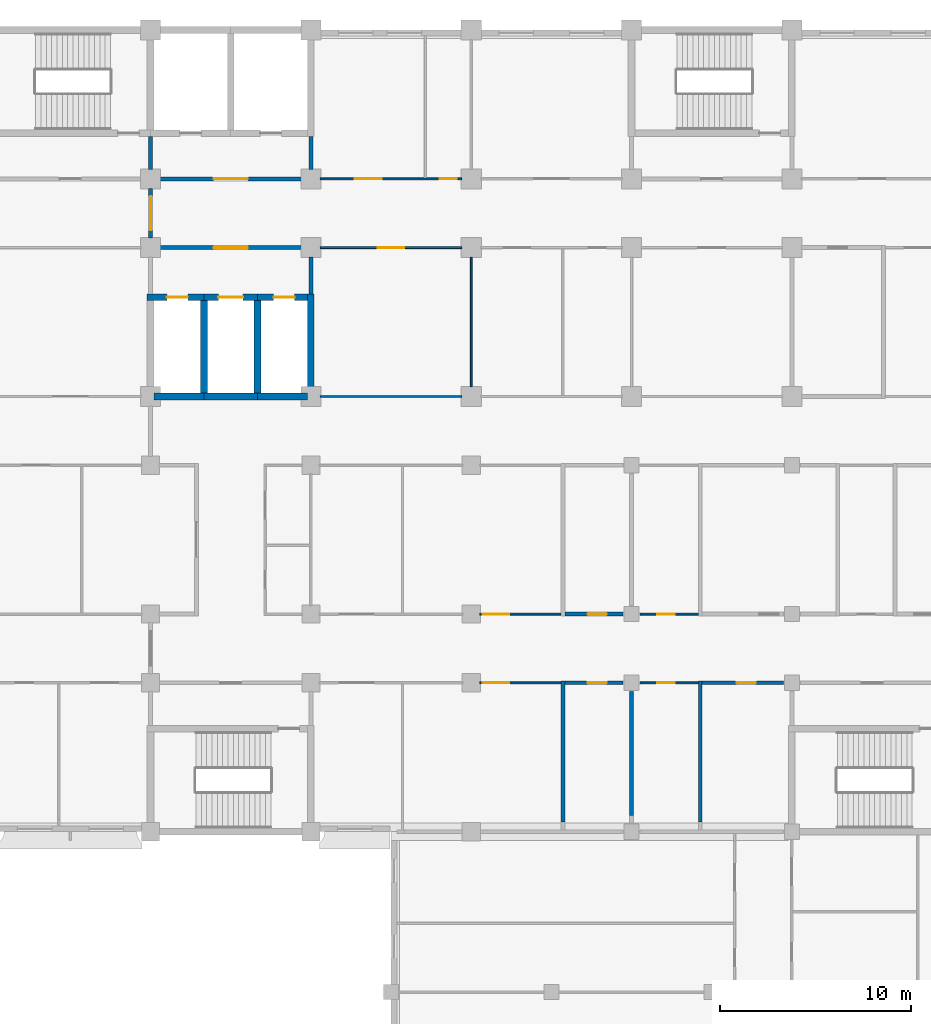
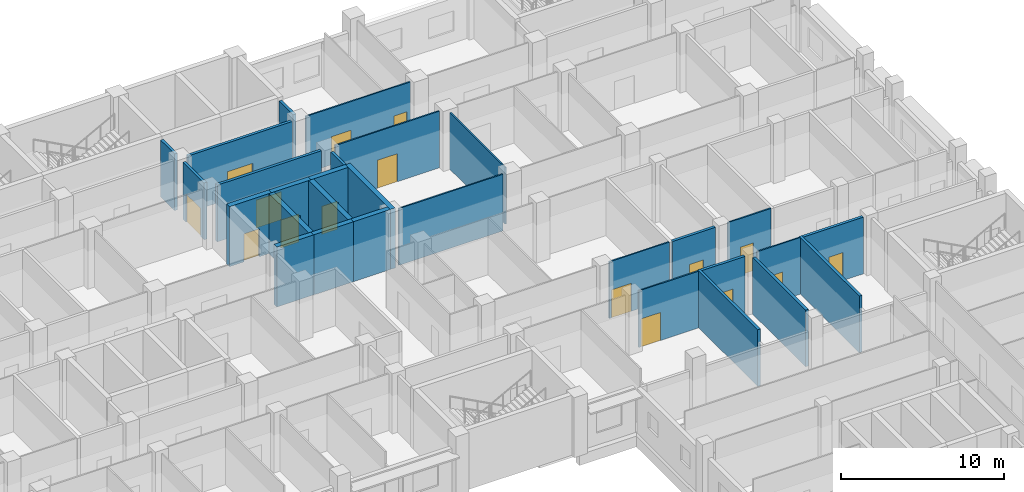
# One storey, part 87 of 136: 29 walls, 16 doors, 16 openings.
"""IFC4 building model written with IfcOpenShell, lengths in metres."""

from ifc_helpers import new_model, si_unit, direction, frame, frame_2d, origin, place, context, subcontext, project, spatial, rectangle, extrude, material, layer, layer_set, type_object, element, fill, save


model = new_model("IFC4")

# Units and contexts
model_context = context("Model", 3, precision=1e-05, world=origin(), true_north=direction((0.0, 1.0)))
body_context = subcontext(model_context, "Body", "Model", "MODEL_VIEW")
ifc_project = project(units=[si_unit("LENGTHUNIT", "METRE"), si_unit("AREAUNIT", "SQUARE_METRE"), si_unit("VOLUMEUNIT", "CUBIC_METRE"), si_unit("PLANEANGLEUNIT", "RADIAN"), si_unit("MASSUNIT", "GRAM", prefix="KILO")], contexts=[model_context])

# Site, building, storey
site_placement = place(None, origin())
site = spatial("IfcSite", under=ifc_project, at=site_placement, CompositionType="ELEMENT")
building_placement = place(site_placement, origin())
building = spatial("IfcBuilding", under=site, at=building_placement, Name="Bougainvillea Quay General Hospital", CompositionType="ELEMENT")
storey_placement = place(building_placement, frame((0.0, 0.0, 5.39990234375)))
storey = spatial("IfcBuildingStorey", under=building, at=storey_placement, Name="L01", CompositionType="ELEMENT", Elevation=5.39990234375)

# Wall
ifc_material_1 = material(Name="Gypsum board partition on steel studs", Category="steel")
ifc_layer_1 = layer(ifc_material_1, 0.10009765625)
ifc_layer_set_1 = layer_set([ifc_layer_1], Name="Gypsum board partition on steel studs")
wall_type_1 = type_object("IfcWallType", Name="Partition 100 Gypsum board partition", PredefinedType="PARTITIONING", material=ifc_layer_set_1)
wall_1_placement = place(storey_placement, frame((167.5, 140.39990234375, 0.0), z_axis=(0.0, 0.0, 1.0), x_axis=(-1.0, 0.0, 0.0)))
element("IfcWall", 1, at=wall_1_placement, inside=storey, type_object=wall_type_1, Name="Partition 100 mm", PredefinedType="PARTITIONING", context=body_context, shape_type="SweptSolid", body=[
    extrude(rectangle(XDim=7.39990234375, YDim=0.10009765625, at=frame_2d((3.699951171875, 0.0))), origin(), (0.0, 0.0, 1.0), 4.25),
])

# Wall, opening, door
wall_2_placement = place(storey_placement, frame((167.5, 148.199951171875, 0.0), z_axis=(0.0, 0.0, 1.0), x_axis=(-1.0, 0.0, 0.0)))
wall_2 = element("IfcWall", 2, at=wall_2_placement, inside=storey, type_object=wall_type_1, Name="Partition 100 mm", PredefinedType="PARTITIONING", context=body_context, shape_type="SweptSolid", body=[
    extrude(rectangle(XDim=7.39990234375, YDim=0.10009765625, at=frame_2d((3.699951171875, 0.0))), origin(), (0.0, 0.0, 1.0), 4.25),
])
opening_1_placement = place(wall_2_placement, frame((3.0, 0.0, 0.0)))
opening_1 = element("IfcOpeningElement", 3, at=opening_1_placement, cuts=wall_2, Name="Opening L01.210", PredefinedType="OPENING", context=body_context, shape_type="SweptSolid", body=[
    extrude(rectangle(XDim=1.39990234375, YDim=2.10009765625, at=frame_2d((0.699951171875, 1.050048828125))), frame((0.0, 0.06005859375, 0.0), z_axis=(0.0, -1.0, 0.0), x_axis=(1.0, 0.0, 0.0)), (0.0, 0.0, 1.0), 0.1201171875),
])
ifc_material_2 = material(Name="Solid-core timber door leaves in steel frame", Category="steel")
door_type_1 = type_object("IfcDoorType", Name="Bed door pair 1400x2100", OperationType="DOUBLE_DOOR_SINGLE_SWING", PredefinedType="DOOR", material=ifc_material_2)
door_1_placement = place(opening_1_placement, origin())
door_1 = element("IfcDoor", 4, at=door_1_placement, inside=storey, type_object=door_type_1, Name="DT09 L01.210", OperationType="DOUBLE_DOOR_SINGLE_SWING", OverallHeight=2.10009765625, OverallWidth=1.39990234375, PredefinedType="DOOR", context=body_context, shape_type="SweptSolid", body=[
    extrude(rectangle(XDim=1.39990234375, YDim=2.10009765625, at=frame_2d((0.699951171875, 1.050048828125))), frame((0.0, 0.02490234375, 0.0), z_axis=(0.0, -1.0, 0.0), x_axis=(1.0, 0.0, 0.0)), (0.0, 0.0, 1.0), 0.050048828125),
])
fill(opening_1, door_1)

# Wall, openings, doors
wall_3_placement = place(storey_placement, frame((167.5, 151.800048828125, 0.0), z_axis=(0.0, 0.0, 1.0), x_axis=(-1.0, 0.0, 0.0)))
wall_3 = element("IfcWall", 5, at=wall_3_placement, inside=storey, type_object=wall_type_1, Name="Partition 100 mm", PredefinedType="PARTITIONING", context=body_context, shape_type="SweptSolid", body=[
    extrude(rectangle(XDim=7.39990234375, YDim=0.10009765625, at=frame_2d((3.699951171875, 0.0))), origin(), (0.0, 0.0, 1.0), 4.25),
])
opening_2_placement = place(wall_3_placement, frame((4.200927734375, 0.0, 0.0)))
opening_2 = element("IfcOpeningElement", 6, at=opening_2_placement, cuts=wall_3, Name="Opening L01.216", PredefinedType="OPENING", context=body_context, shape_type="SweptSolid", body=[
    extrude(rectangle(XDim=1.39990234375, YDim=2.10009765625, at=frame_2d((0.699951171875, 1.050048828125))), frame((0.0, 0.06005859375, 0.0), z_axis=(0.0, -1.0, 0.0), x_axis=(1.0, 0.0, 0.0)), (0.0, 0.0, 1.0), 0.1201171875),
])
opening_3_placement = place(wall_3_placement, frame((0.251953125, 0.0, 0.0)))
opening_3 = element("IfcOpeningElement", 7, at=opening_3_placement, cuts=wall_3, Name="Opening L01.217", PredefinedType="OPENING", context=body_context, shape_type="SweptSolid", body=[
    extrude(rectangle(XDim=0.89990234375, YDim=2.10009765625, at=frame_2d((0.449951171875, 1.050048828125))), frame((0.0, 0.06005859375, 0.0), z_axis=(0.0, -1.0, 0.0), x_axis=(1.0, 0.0, 0.0)), (0.0, 0.0, 1.0), 0.1201171875),
])
door_2_placement = place(opening_2_placement, frame((1.39990234375, 0.0, 0.0), z_axis=(0.0, 0.0, 1.0), x_axis=(-1.0, 0.0, 0.0)))
door_2 = element("IfcDoor", 8, at=door_2_placement, inside=storey, type_object=door_type_1, Name="DT09 L01.216", OperationType="DOUBLE_DOOR_SINGLE_SWING", OverallHeight=2.10009765625, OverallWidth=1.39990234375, PredefinedType="DOOR", context=body_context, shape_type="SweptSolid", body=[
    extrude(rectangle(XDim=1.39990234375, YDim=2.10009765625, at=frame_2d((0.699951171875, 1.050048828125))), frame((0.0, 0.02490234375, 0.0), z_axis=(0.0, -1.0, 0.0), x_axis=(1.0, 0.0, 0.0)), (0.0, 0.0, 1.0), 0.050048828125),
])
fill(opening_2, door_2)
ifc_material_3 = material(Name="Solid-core timber door leaf in steel frame", Category="steel")
door_type_2 = type_object("IfcDoorType", Name="Single leaf door 900x2100", OperationType="NOTDEFINED", PredefinedType="DOOR", material=ifc_material_3)
door_3_placement = place(opening_3_placement, frame((0.89990234375, 0.0, 0.0), z_axis=(0.0, 0.0, 1.0), x_axis=(-1.0, 0.0, 0.0)))
door_3 = element("IfcDoor", 9, at=door_3_placement, inside=storey, type_object=door_type_2, Name="DT07 L01.217", OperationType="SINGLE_SWING_RIGHT", OverallHeight=2.10009765625, OverallWidth=0.89990234375, PredefinedType="DOOR", context=body_context, shape_type="SweptSolid", body=[
    extrude(rectangle(XDim=0.89990234375, YDim=2.10009765625, at=frame_2d((0.449951171875, 1.050048828125))), frame((0.0, 0.02490234375, 0.0), z_axis=(0.0, -1.0, 0.0), x_axis=(1.0, 0.0, 0.0)), (0.0, 0.0, 1.0), 0.050048828125),
])
fill(opening_3, door_3)

# Wall, opening, door
wall_4_placement = place(storey_placement, frame((172.699951171875, 129.0, 0.0), z_axis=(0.0, 0.0, 1.0), x_axis=(-1.0, 0.0, 0.0)))
wall_4 = element("IfcWall", 10, at=wall_4_placement, inside=storey, type_object=wall_type_1, Name="Partition 100 mm", PredefinedType="PARTITIONING", context=body_context, shape_type="SweptSolid", body=[
    extrude(rectangle(XDim=4.25, YDim=0.10009765625, at=frame_2d((2.125, 0.0))), origin(), (0.0, 0.0, 1.0), 4.25),
])
opening_4_placement = place(wall_4_placement, frame((2.699951171875, 0.0, 0.0)))
opening_4 = element("IfcOpeningElement", 11, at=opening_4_placement, cuts=wall_4, Name="Opening L01.175", PredefinedType="OPENING", context=body_context, shape_type="SweptSolid", body=[
    extrude(rectangle(XDim=1.39990234375, YDim=2.10009765625, at=frame_2d((0.699951171875, 1.050048828125))), frame((0.0, 0.06005859375, 0.0), z_axis=(0.0, -1.0, 0.0), x_axis=(1.0, 0.0, 0.0)), (0.0, 0.0, 1.0), 0.1201171875),
])
door_4_placement = place(opening_4_placement, frame((1.39990234375, 0.0, 0.0), z_axis=(0.0, 0.0, 1.0), x_axis=(-1.0, 0.0, 0.0)))
door_4 = element("IfcDoor", 12, at=door_4_placement, inside=storey, type_object=door_type_1, Name="DT09 L01.175", OperationType="DOUBLE_DOOR_SINGLE_SWING", OverallHeight=2.10009765625, OverallWidth=1.39990234375, PredefinedType="DOOR", context=body_context, shape_type="SweptSolid", body=[
    extrude(rectangle(XDim=1.39990234375, YDim=2.10009765625, at=frame_2d((0.699951171875, 1.050048828125))), frame((0.0, 0.02490234375, 0.0), z_axis=(0.0, -1.0, 0.0), x_axis=(1.0, 0.0, 0.0)), (0.0, 0.0, 1.0), 0.050048828125),
])
fill(opening_4, door_4)

wall_5_placement = place(storey_placement, frame((168.449951171875, 125.39990234375, 0.0), z_axis=(0.0, 0.0, 1.0), x_axis=(1.0, 0.0, 0.0)))
wall_5 = element("IfcWall", 13, at=wall_5_placement, inside=storey, type_object=wall_type_1, Name="Partition 100 mm", PredefinedType="PARTITIONING", context=body_context, shape_type="SweptSolid", body=[
    extrude(rectangle(XDim=4.25, YDim=0.10009765625, at=frame_2d((2.125, 0.0))), origin(), (0.0, 0.0, 1.0), 4.25),
])
opening_5_placement = place(wall_5_placement, frame((0.14990234375, 0.0, 0.0)))
opening_5 = element("IfcOpeningElement", 14, at=opening_5_placement, cuts=wall_5, Name="Opening L01.170", PredefinedType="OPENING", context=body_context, shape_type="SweptSolid", body=[
    extrude(rectangle(XDim=1.39990234375, YDim=2.10009765625, at=frame_2d((0.699951171875, 1.050048828125))), frame((0.0, 0.06005859375, 0.0), z_axis=(0.0, -1.0, 0.0), x_axis=(1.0, 0.0, 0.0)), (0.0, 0.0, 1.0), 0.1201171875),
])
door_5_placement = place(opening_5_placement, frame((1.39990234375, 0.0, 0.0), z_axis=(0.0, 0.0, 1.0), x_axis=(-1.0, 0.0, 0.0)))
door_5 = element("IfcDoor", 15, at=door_5_placement, inside=storey, type_object=door_type_1, Name="DT09 L01.170", OperationType="DOUBLE_DOOR_SINGLE_SWING", OverallHeight=2.10009765625, OverallWidth=1.39990234375, PredefinedType="DOOR", context=body_context, shape_type="SweptSolid", body=[
    extrude(rectangle(XDim=1.39990234375, YDim=2.10009765625, at=frame_2d((0.699951171875, 1.050048828125))), frame((0.0, 0.02490234375, 0.0), z_axis=(0.0, -1.0, 0.0), x_axis=(1.0, 0.0, 0.0)), (0.0, 0.0, 1.0), 0.050048828125),
])
fill(opening_5, door_5)

# Wall
wall_6_placement = place(storey_placement, frame((168.0, 140.89990234375, 0.0), z_axis=(0.0, 0.0, 1.0), x_axis=(0.0, 1.0, 0.0)))
element("IfcWall", 16, at=wall_6_placement, inside=storey, type_object=wall_type_1, Name="Partition 100 mm", PredefinedType="PARTITIONING", context=body_context, shape_type="SweptSolid", body=[
    extrude(rectangle(XDim=6.800048828125, YDim=0.10009765625, at=frame_2d((3.39990234375, 0.0))), origin(), (0.0, 0.0, 1.0), 4.25),
])

# Wall, opening, door
wall_7_placement = place(storey_placement, frame((176.85009765625, 125.39990234375, 0.0), z_axis=(0.0, 0.0, 1.0), x_axis=(1.0, 0.0, 0.0)))
wall_7 = element("IfcWall", 17, at=wall_7_placement, inside=storey, type_object=wall_type_1, Name="Partition 100 mm", PredefinedType="PARTITIONING", context=body_context, shape_type="SweptSolid", body=[
    extrude(rectangle(XDim=3.0498046875, YDim=0.10009765625, at=frame_2d((1.52490234375, 0.0))), origin(), (0.0, 0.0, 1.0), 4.25),
])
opening_6_placement = place(wall_7_placement, frame((0.89990234375, 0.0, 0.0)))
opening_6 = element("IfcOpeningElement", 18, at=opening_6_placement, cuts=wall_7, Name="Opening L01.172", PredefinedType="OPENING", context=body_context, shape_type="SweptSolid", body=[
    extrude(rectangle(XDim=0.89990234375, YDim=2.10009765625, at=frame_2d((0.449951171875, 1.050048828125))), frame((0.0, 0.06005859375, 0.0), z_axis=(0.0, -1.0, 0.0), x_axis=(1.0, 0.0, 0.0)), (0.0, 0.0, 1.0), 0.1201171875),
])
door_6_placement = place(opening_6_placement, frame((0.89990234375, 0.0, 0.0), z_axis=(0.0, 0.0, 1.0), x_axis=(-1.0, 0.0, 0.0)))
door_6 = element("IfcDoor", 19, at=door_6_placement, inside=storey, type_object=door_type_2, Name="DT07 L01.172", OperationType="SINGLE_SWING_RIGHT", OverallHeight=2.10009765625, OverallWidth=0.89990234375, PredefinedType="DOOR", context=body_context, shape_type="SweptSolid", body=[
    extrude(rectangle(XDim=0.89990234375, YDim=2.10009765625, at=frame_2d((0.449951171875, 1.050048828125))), frame((0.0, 0.02490234375, 0.0), z_axis=(0.0, -1.0, 0.0), x_axis=(1.0, 0.0, 0.0)), (0.0, 0.0, 1.0), 0.050048828125),
])
fill(opening_6, door_6)

wall_8_placement = place(storey_placement, frame((176.85009765625, 129.0, 0.0), z_axis=(0.0, 0.0, 1.0), x_axis=(1.0, 0.0, 0.0)))
wall_8 = element("IfcWall", 20, at=wall_8_placement, inside=storey, type_object=wall_type_1, Name="Partition 100 mm", PredefinedType="PARTITIONING", context=body_context, shape_type="SweptSolid", body=[
    extrude(rectangle(XDim=3.0498046875, YDim=0.10009765625, at=frame_2d((1.52490234375, 0.0))), origin(), (0.0, 0.0, 1.0), 4.25),
])
opening_7_placement = place(wall_8_placement, frame((0.89990234375, 0.0, 0.0)))
opening_7 = element("IfcOpeningElement", 21, at=opening_7_placement, cuts=wall_8, Name="Opening L01.177", PredefinedType="OPENING", context=body_context, shape_type="SweptSolid", body=[
    extrude(rectangle(XDim=0.89990234375, YDim=2.10009765625, at=frame_2d((0.449951171875, 1.050048828125))), frame((0.0, 0.06005859375, 0.0), z_axis=(0.0, -1.0, 0.0), x_axis=(1.0, 0.0, 0.0)), (0.0, 0.0, 1.0), 0.1201171875),
])
door_7_placement = place(opening_7_placement, origin())
door_7 = element("IfcDoor", 22, at=door_7_placement, inside=storey, type_object=door_type_2, Name="DT07 L01.177", OperationType="SINGLE_SWING_LEFT", OverallHeight=2.10009765625, OverallWidth=0.89990234375, PredefinedType="DOOR", context=body_context, shape_type="SweptSolid", body=[
    extrude(rectangle(XDim=0.89990234375, YDim=2.10009765625, at=frame_2d((0.449951171875, 1.050048828125))), frame((0.0, 0.02490234375, 0.0), z_axis=(0.0, -1.0, 0.0), x_axis=(1.0, 0.0, 0.0)), (0.0, 0.0, 1.0), 0.050048828125),
])
fill(opening_7, door_7)

ifc_material_4 = material(Name="Fire-rated autoclaved aerated block wall, plastered")
ifc_layer_2 = layer(ifc_material_4, 0.199951171875)
ifc_layer_set_2 = layer_set([ifc_layer_2], Name="Fire-rated autoclaved aerated block wall, plastered")
wall_type_2 = type_object("IfcWallType", Name="Partition 200 Fire-rated autoclaved aerated block wall EI 120", PredefinedType="SOLIDWALL", material=ifc_layer_set_2)
wall_9_placement = place(storey_placement, frame((159.10009765625, 151.800048828125, 0.0), z_axis=(0.0, 0.0, 1.0), x_axis=(-1.0, 0.0, 0.0)))
wall_9 = element("IfcWall", 23, at=wall_9_placement, inside=storey, type_object=wall_type_2, Name="Partition 200 mm EI 120", PredefinedType="SOLIDWALL", context=body_context, shape_type="SweptSolid", body=[
    extrude(rectangle(XDim=7.400146484375, YDim=0.199951171875, at=frame_2d((3.7001953125, 0.0))), origin(), (0.0, 0.0, 1.0), 4.25),
])
opening_8_placement = place(wall_9_placement, frame((2.800048828125, 0.0, 0.0)))
opening_8 = element("IfcOpeningElement", 24, at=opening_8_placement, cuts=wall_9, Name="Opening L01.053", PredefinedType="OPENING", context=body_context, shape_type="SweptSolid", body=[
    extrude(rectangle(XDim=1.800048828125, YDim=2.10009765625, at=frame_2d((0.89990234375, 1.050048828125))), frame((0.0, 0.10986328125, 0.0), z_axis=(0.0, -1.0, 0.0), x_axis=(1.0, 0.0, 0.0)), (0.0, 0.0, 1.0), 0.219970703125),
])
ifc_material_5 = material(Name="Steel fire door leaves in steel frame", Category="steel")
door_type_3 = type_object("IfcDoorType", Name="Steel double leaf door 1800x2100 FD60", OperationType="DOUBLE_DOOR_SINGLE_SWING", PredefinedType="DOOR", material=ifc_material_5)
door_8_placement = place(opening_8_placement, frame((1.800048828125, 0.0, 0.0), z_axis=(0.0, 0.0, 1.0), x_axis=(-1.0, 0.0, 0.0)))
door_8 = element("IfcDoor", 25, at=door_8_placement, inside=storey, type_object=door_type_3, Name="DT05 L01.053", OperationType="DOUBLE_DOOR_SINGLE_SWING", OverallHeight=2.10009765625, OverallWidth=1.800048828125, PredefinedType="DOOR", context=body_context, shape_type="SweptSolid", body=[
    extrude(rectangle(XDim=1.800048828125, YDim=2.10009765625, at=frame_2d((0.89990234375, 1.050048828125))), frame((0.0, 0.02490234375, 0.0), z_axis=(0.0, -1.0, 0.0), x_axis=(1.0, 0.0, 0.0)), (0.0, 0.0, 1.0), 0.050048828125),
])
fill(opening_8, door_8)

# Wall
wall_10_placement = place(storey_placement, frame((151.199951171875, 154.02490234375, 0.0), z_axis=(0.0, 0.0, 1.0), x_axis=(0.0, -1.0, 0.0)))
element("IfcWall", 26, at=wall_10_placement, inside=storey, type_object=wall_type_2, Name="Partition 200 mm EI 120", PredefinedType="SOLIDWALL", context=body_context, shape_type="SweptSolid", body=[
    extrude(rectangle(XDim=1.724853515625, YDim=0.199951171875, at=frame_2d((0.8623046875, 0.0))), origin(), (0.0, 0.0, 1.0), 4.25),
])

# Wall, opening, door
wall_11_placement = place(storey_placement, frame((151.199951171875, 151.300048828125, 0.0), z_axis=(0.0, 0.0, 1.0), x_axis=(0.0, -1.0, 0.0)))
wall_11 = element("IfcWall", 27, at=wall_11_placement, inside=storey, type_object=wall_type_2, Name="Partition 200 mm EI 120", PredefinedType="SOLIDWALL", context=body_context, shape_type="SweptSolid", body=[
    extrude(rectangle(XDim=2.60009765625, YDim=0.199951171875, at=frame_2d((1.300048828125, 0.0))), origin(), (0.0, 0.0, 1.0), 4.25),
])
opening_9_placement = place(wall_11_placement, frame((0.39990234375, 0.0, 0.0)))
opening_9 = element("IfcOpeningElement", 28, at=opening_9_placement, cuts=wall_11, Name="Opening L01.018", PredefinedType="OPENING", context=body_context, shape_type="SweptSolid", body=[
    extrude(rectangle(XDim=1.800048828125, YDim=2.10009765625, at=frame_2d((0.89990234375, 1.050048828125))), frame((0.0, 0.10986328125, 0.0), z_axis=(0.0, -1.0, 0.0), x_axis=(1.0, 0.0, 0.0)), (0.0, 0.0, 1.0), 0.219970703125),
])
door_type_4 = type_object("IfcDoorType", Name="Steel double leaf door 1800x2100 FD90", OperationType="DOUBLE_DOOR_SINGLE_SWING", PredefinedType="DOOR", material=ifc_material_5)
door_9_placement = place(opening_9_placement, frame((1.800048828125, 0.0, 0.0), z_axis=(0.0, 0.0, 1.0), x_axis=(-1.0, 0.0, 0.0)))
door_9 = element("IfcDoor", 29, at=door_9_placement, inside=storey, type_object=door_type_4, Name="DT03 L01.018", OperationType="DOUBLE_DOOR_SINGLE_SWING", OverallHeight=2.10009765625, OverallWidth=1.800048828125, PredefinedType="DOOR", context=body_context, shape_type="SweptSolid", body=[
    extrude(rectangle(XDim=1.800048828125, YDim=2.10009765625, at=frame_2d((0.89990234375, 1.050048828125))), frame((0.0, 0.02490234375, 0.0), z_axis=(0.0, -1.0, 0.0), x_axis=(1.0, 0.0, 0.0)), (0.0, 0.0, 1.0), 0.050048828125),
])
fill(opening_9, door_9)

wall_12_placement = place(storey_placement, frame((151.699951171875, 148.199951171875, 0.0), z_axis=(0.0, 0.0, 1.0), x_axis=(1.0, 0.0, 0.0)))
wall_12 = element("IfcWall", 30, at=wall_12_placement, inside=storey, type_object=wall_type_2, Name="Partition 200 mm EI 120", PredefinedType="SOLIDWALL", context=body_context, shape_type="SweptSolid", body=[
    extrude(rectangle(XDim=7.400146484375, YDim=0.199951171875, at=frame_2d((3.7001953125, 0.0))), origin(), (0.0, 0.0, 1.0), 4.25),
])
opening_10_placement = place(wall_12_placement, frame((2.800048828125, 0.0, 0.0)))
opening_10 = element("IfcOpeningElement", 31, at=opening_10_placement, cuts=wall_12, Name="Opening L01.048", PredefinedType="OPENING", context=body_context, shape_type="SweptSolid", body=[
    extrude(rectangle(XDim=1.800048828125, YDim=2.10009765625, at=frame_2d((0.89990234375, 1.050048828125))), frame((0.0, 0.10986328125, 0.0), z_axis=(0.0, -1.0, 0.0), x_axis=(1.0, 0.0, 0.0)), (0.0, 0.0, 1.0), 0.219970703125),
])
door_10_placement = place(opening_10_placement, frame((1.800048828125, 0.0, 0.0), z_axis=(0.0, 0.0, 1.0), x_axis=(-1.0, 0.0, 0.0)))
door_10 = element("IfcDoor", 32, at=door_10_placement, inside=storey, type_object=door_type_3, Name="DT05 L01.048", OperationType="DOUBLE_DOOR_SINGLE_SWING", OverallHeight=2.10009765625, OverallWidth=1.800048828125, PredefinedType="DOOR", context=body_context, shape_type="SweptSolid", body=[
    extrude(rectangle(XDim=1.800048828125, YDim=2.10009765625, at=frame_2d((0.89990234375, 1.050048828125))), frame((0.0, 0.02490234375, 0.0), z_axis=(0.0, -1.0, 0.0), x_axis=(1.0, 0.0, 0.0)), (0.0, 0.0, 1.0), 0.050048828125),
])
fill(opening_10, door_10)

# Walls
wall_13_placement = place(storey_placement, frame((159.60009765625, 145.77490234375, 0.0), z_axis=(0.0, 0.0, 1.0), x_axis=(0.0, 1.0, 0.0)))
element("IfcWall", 33, at=wall_13_placement, inside=storey, type_object=wall_type_2, Name="Partition 200 mm EI 120", PredefinedType="SOLIDWALL", context=body_context, shape_type="SweptSolid", body=[
    extrude(rectangle(XDim=1.925048828125, YDim=0.199951171875, at=frame_2d((0.96240234375, 0.0))), origin(), (0.0, 0.0, 1.0), 4.25),
])
wall_14_placement = place(storey_placement, frame((159.60009765625, 152.300048828125, 0.0), z_axis=(0.0, 0.0, 1.0), x_axis=(0.0, 1.0, 0.0)))
element("IfcWall", 34, at=wall_14_placement, inside=storey, type_object=wall_type_2, Name="Partition 200 mm EI 120", PredefinedType="SOLIDWALL", context=body_context, shape_type="SweptSolid", body=[
    extrude(rectangle(XDim=1.724853515625, YDim=0.199951171875, at=frame_2d((0.8623046875, 0.0))), origin(), (0.0, 0.0, 1.0), 4.25),
])
ifc_layer_3 = layer(ifc_material_4, 0.199951171875)
ifc_layer_set_3 = layer_set([ifc_layer_3], Name="Fire-rated autoclaved aerated block wall, plastered")
wall_type_3 = type_object("IfcWallType", Name="Partition 200 Fire-rated autoclaved aerated block wall EI 60", PredefinedType="SOLIDWALL", material=ifc_layer_set_3)
wall_15_placement = place(storey_placement, frame((172.800048828125, 118.10009765625, 0.0), z_axis=(0.0, 0.0, 1.0), x_axis=(0.0, 1.0, 0.0)))
element("IfcWall", 35, at=wall_15_placement, inside=storey, type_object=wall_type_3, Name="Partition 200 mm EI 60", PredefinedType="SOLIDWALL", context=body_context, shape_type="SweptSolid", body=[
    extrude(rectangle(XDim=7.39990234375, YDim=0.199951171875, at=frame_2d((3.699951171875, 0.0))), origin(), (0.0, 0.0, 1.0), 4.25),
])
wall_16_placement = place(storey_placement, frame((176.39990234375, 118.449951171875, 0.0), z_axis=(0.0, 0.0, 1.0), x_axis=(0.0, 1.0, 0.0)))
element("IfcWall", 36, at=wall_16_placement, inside=storey, type_object=wall_type_3, Name="Partition 200 mm EI 60", PredefinedType="SOLIDWALL", context=body_context, shape_type="SweptSolid", body=[
    extrude(rectangle(XDim=6.5, YDim=0.199951171875, at=frame_2d((3.25, 0.0))), origin(), (0.0, 0.0, 1.0), 4.25),
])
wall_17_placement = place(storey_placement, frame((180.0, 118.10009765625, 0.0), z_axis=(0.0, 0.0, 1.0), x_axis=(0.0, 1.0, 0.0)))
element("IfcWall", 37, at=wall_17_placement, inside=storey, type_object=wall_type_3, Name="Partition 200 mm EI 60", PredefinedType="SOLIDWALL", context=body_context, shape_type="SweptSolid", body=[
    extrude(rectangle(XDim=7.39990234375, YDim=0.199951171875, at=frame_2d((3.699951171875, 0.0))), origin(), (0.0, 0.0, 1.0), 4.25),
])

# Wall, opening, door
wall_18_placement = place(storey_placement, frame((180.10009765625, 125.39990234375, 0.0), z_axis=(0.0, 0.0, 1.0), x_axis=(1.0, 0.0, 0.0)))
wall_18 = element("IfcWall", 38, at=wall_18_placement, inside=storey, type_object=wall_type_3, Name="Partition 200 mm EI 60", PredefinedType="SOLIDWALL", context=body_context, shape_type="SweptSolid", body=[
    extrude(rectangle(XDim=4.25, YDim=0.199951171875, at=frame_2d((2.125, 0.0))), origin(), (0.0, 0.0, 1.0), 4.25),
])
opening_11_placement = place(wall_18_placement, frame((1.800048828125, 0.0, 0.0)))
opening_11 = element("IfcOpeningElement", 39, at=opening_11_placement, cuts=wall_18, Name="Opening L01.173", PredefinedType="OPENING", context=body_context, shape_type="SweptSolid", body=[
    extrude(rectangle(XDim=1.0, YDim=2.10009765625, at=frame_2d((0.5, 1.050048828125))), frame((0.0, 0.10986328125, 0.0), z_axis=(0.0, -1.0, 0.0), x_axis=(1.0, 0.0, 0.0)), (0.0, 0.0, 1.0), 0.219970703125),
])
ifc_material_6 = material(Name="Steel fire door leaf in steel frame", Category="steel")
door_type_5 = type_object("IfcDoorType", Name="Steel single leaf door 1000x2100 FD60", OperationType="NOTDEFINED", PredefinedType="DOOR", material=ifc_material_6)
door_11_placement = place(opening_11_placement, frame((1.0, 0.0, 0.0), z_axis=(0.0, 0.0, 1.0), x_axis=(-1.0, 0.0, 0.0)))
door_11 = element("IfcDoor", 40, at=door_11_placement, inside=storey, type_object=door_type_5, Name="DT10 L01.173", OperationType="SINGLE_SWING_LEFT", OverallHeight=2.10009765625, OverallWidth=1.0, PredefinedType="DOOR", context=body_context, shape_type="SweptSolid", body=[
    extrude(rectangle(XDim=1.0, YDim=2.10009765625, at=frame_2d((0.5, 1.050048828125))), frame((0.0, 0.02490234375, 0.0), z_axis=(0.0, -1.0, 0.0), x_axis=(1.0, 0.0, 0.0)), (0.0, 0.0, 1.0), 0.050048828125),
])
fill(opening_11, door_11)

wall_19_placement = place(storey_placement, frame((172.89990234375, 125.39990234375, 0.0), z_axis=(0.0, 0.0, 1.0), x_axis=(1.0, 0.0, 0.0)))
wall_19 = element("IfcWall", 41, at=wall_19_placement, inside=storey, type_object=wall_type_3, Name="Partition 200 mm EI 60", PredefinedType="SOLIDWALL", context=body_context, shape_type="SweptSolid", body=[
    extrude(rectangle(XDim=3.050048828125, YDim=0.199951171875, at=frame_2d((1.52490234375, 0.0))), origin(), (0.0, 0.0, 1.0), 4.25),
])
opening_12_placement = place(wall_19_placement, frame((1.199951171875, 0.0, 0.0)))
opening_12 = element("IfcOpeningElement", 42, at=opening_12_placement, cuts=wall_19, Name="Opening L01.171", PredefinedType="OPENING", context=body_context, shape_type="SweptSolid", body=[
    extrude(rectangle(XDim=1.0, YDim=2.10009765625, at=frame_2d((0.5, 1.050048828125))), frame((0.0, 0.10986328125, 0.0), z_axis=(0.0, -1.0, 0.0), x_axis=(1.0, 0.0, 0.0)), (0.0, 0.0, 1.0), 0.219970703125),
])
door_12_placement = place(opening_12_placement, frame((1.0, 0.0, 0.0), z_axis=(0.0, 0.0, 1.0), x_axis=(-1.0, 0.0, 0.0)))
door_12 = element("IfcDoor", 43, at=door_12_placement, inside=storey, type_object=door_type_5, Name="DT10 L01.171", OperationType="SINGLE_SWING_LEFT", OverallHeight=2.10009765625, OverallWidth=1.0, PredefinedType="DOOR", context=body_context, shape_type="SweptSolid", body=[
    extrude(rectangle(XDim=1.0, YDim=2.10009765625, at=frame_2d((0.5, 1.050048828125))), frame((0.0, 0.02490234375, 0.0), z_axis=(0.0, -1.0, 0.0), x_axis=(1.0, 0.0, 0.0)), (0.0, 0.0, 1.0), 0.050048828125),
])
fill(opening_12, door_12)

wall_20_placement = place(storey_placement, frame((172.89990234375, 129.0, 0.0), z_axis=(0.0, 0.0, 1.0), x_axis=(1.0, 0.0, 0.0)))
wall_20 = element("IfcWall", 44, at=wall_20_placement, inside=storey, type_object=wall_type_3, Name="Partition 200 mm EI 60", PredefinedType="SOLIDWALL", context=body_context, shape_type="SweptSolid", body=[
    extrude(rectangle(XDim=3.050048828125, YDim=0.199951171875, at=frame_2d((1.52490234375, 0.0))), origin(), (0.0, 0.0, 1.0), 4.25),
])
opening_13_placement = place(wall_20_placement, frame((1.199951171875, 0.0, 0.0)))
opening_13 = element("IfcOpeningElement", 45, at=opening_13_placement, cuts=wall_20, Name="Opening L01.176", PredefinedType="OPENING", context=body_context, shape_type="SweptSolid", body=[
    extrude(rectangle(XDim=1.0, YDim=2.10009765625, at=frame_2d((0.5, 1.050048828125))), frame((0.0, 0.10986328125, 0.0), z_axis=(0.0, -1.0, 0.0), x_axis=(1.0, 0.0, 0.0)), (0.0, 0.0, 1.0), 0.219970703125),
])
door_13_placement = place(opening_13_placement, origin())
door_13 = element("IfcDoor", 46, at=door_13_placement, inside=storey, type_object=door_type_5, Name="DT10 L01.176", OperationType="SINGLE_SWING_RIGHT", OverallHeight=2.10009765625, OverallWidth=1.0, PredefinedType="DOOR", context=body_context, shape_type="SweptSolid", body=[
    extrude(rectangle(XDim=1.0, YDim=2.10009765625, at=frame_2d((0.5, 1.050048828125))), frame((0.0, 0.02490234375, 0.0), z_axis=(0.0, -1.0, 0.0), x_axis=(1.0, 0.0, 0.0)), (0.0, 0.0, 1.0), 0.050048828125),
])
fill(opening_13, door_13)

ifc_material_7 = material(Name="Concrete C40", Category="concrete")
ifc_layer_4 = layer(ifc_material_7, 0.35009765625)
ifc_layer_set_4 = layer_set([ifc_layer_4], Name="Concrete C40")
wall_type_4 = type_object("IfcWallType", Name="RC SHEAR WALL 350 C40", PredefinedType="SHEAR", material=ifc_layer_set_4)
wall_21_placement = place(storey_placement, frame((151.02490234375, 145.60009765625, 0.0), z_axis=(0.0, 0.0, 1.0), x_axis=(1.0, 0.0, 0.0)))
wall_21 = element("IfcWall", 47, at=wall_21_placement, inside=storey, type_object=wall_type_4, Name="Shear wall L01", PredefinedType="SHEAR", context=body_context, shape_type="SweptSolid", body=[
    extrude(rectangle(XDim=2.97509765625, YDim=0.35009765625, at=frame_2d((1.487548828125, 0.0))), origin(), (0.0, 0.0, 1.0), 4.5),
])
opening_14_placement = place(wall_21_placement, frame((1.02490234375, 0.0, 0.0)))
opening_14 = element("IfcOpeningElement", 48, at=opening_14_placement, cuts=wall_21, Name="Opening LD-A2.1-L01", PredefinedType="OPENING", context=body_context, shape_type="SweptSolid", body=[
    extrude(rectangle(XDim=1.10009765625, YDim=2.10009765625, at=frame_2d((0.550048828125, 1.050048828125))), frame((0.0, 0.18505859375, 0.0), z_axis=(0.0, -1.0, 0.0), x_axis=(1.0, 0.0, 0.0)), (0.0, 0.0, 1.0), 0.3701171875),
])
ifc_material_8 = material(Name="Stainless steel centre-opening landing door", Category="steel")
door_type_6 = type_object("IfcDoorType", Name="Lift landing door 1100x2100 E 120", OperationType="DOUBLE_DOOR_SLIDING", PredefinedType="DOOR", material=ifc_material_8)
door_14_placement = place(opening_14_placement, origin())
door_14 = element("IfcDoor", 49, at=door_14_placement, inside=storey, type_object=door_type_6, Name="Lift landing door LB-A2-1 L01", OperationType="DOUBLE_DOOR_SLIDING", OverallHeight=2.10009765625, OverallWidth=1.10009765625, PredefinedType="DOOR", context=body_context, shape_type="SweptSolid", body=[
    extrude(rectangle(XDim=1.10009765625, YDim=2.10009765625, at=frame_2d((0.550048828125, 1.050048828125))), frame((0.0, 0.02490234375, 0.0), z_axis=(0.0, -1.0, 0.0), x_axis=(1.0, 0.0, 0.0)), (0.0, 0.0, 1.0), 0.050048828125),
])
fill(opening_14, door_14)

# Walls
wall_22_placement = place(storey_placement, frame((151.375, 140.39990234375, 0.0), z_axis=(0.0, 0.0, 1.0), x_axis=(1.0, 0.0, 0.0)))
element("IfcWall", 50, at=wall_22_placement, inside=storey, type_object=wall_type_4, Name="Shear wall L01", PredefinedType="SHEAR", context=body_context, shape_type="SweptSolid", body=[
    extrude(rectangle(XDim=2.625, YDim=0.35009765625, at=frame_2d((1.3125, 0.0))), origin(), (0.0, 0.0, 1.0), 4.5),
])
wall_23_placement = place(storey_placement, frame((154.0, 140.39990234375, 0.0), z_axis=(0.0, 0.0, 1.0), x_axis=(1.0, 0.0, 0.0)))
element("IfcWall", 51, at=wall_23_placement, inside=storey, type_object=wall_type_4, Name="Shear wall L01", PredefinedType="SHEAR", context=body_context, shape_type="SweptSolid", body=[
    extrude(rectangle(XDim=2.800048828125, YDim=0.35009765625, at=frame_2d((1.39990234375, 0.0))), origin(), (0.0, 0.0, 1.0), 4.5),
])
wall_24_placement = place(storey_placement, frame((154.0, 140.574951171875, 0.0), z_axis=(0.0, 0.0, 1.0), x_axis=(0.0, 1.0, 0.0)))
element("IfcWall", 52, at=wall_24_placement, inside=storey, type_object=wall_type_4, Name="Shear wall L01", PredefinedType="SHEAR", context=body_context, shape_type="SweptSolid", body=[
    extrude(rectangle(XDim=4.85009765625, YDim=0.35009765625, at=frame_2d((2.425048828125, 0.0))), origin(), (0.0, 0.0, 1.0), 4.5),
])

# Wall, opening, door
wall_25_placement = place(storey_placement, frame((154.0, 145.60009765625, 0.0), z_axis=(0.0, 0.0, 1.0), x_axis=(1.0, 0.0, 0.0)))
wall_25 = element("IfcWall", 53, at=wall_25_placement, inside=storey, type_object=wall_type_4, Name="Shear wall L01", PredefinedType="SHEAR", context=body_context, shape_type="SweptSolid", body=[
    extrude(rectangle(XDim=2.800048828125, YDim=0.35009765625, at=frame_2d((1.39990234375, 0.0))), origin(), (0.0, 0.0, 1.0), 4.5),
])
opening_15_placement = place(wall_25_placement, frame((0.75, 0.0, 0.0)))
opening_15 = element("IfcOpeningElement", 54, at=opening_15_placement, cuts=wall_25, Name="Opening LD-A2.2-L01", PredefinedType="OPENING", context=body_context, shape_type="SweptSolid", body=[
    extrude(rectangle(XDim=1.300048828125, YDim=2.10009765625, at=frame_2d((0.64990234375, 1.050048828125))), frame((0.0, 0.18505859375, 0.0), z_axis=(0.0, -1.0, 0.0), x_axis=(1.0, 0.0, 0.0)), (0.0, 0.0, 1.0), 0.3701171875),
])
door_type_7 = type_object("IfcDoorType", Name="Lift landing door 1300x2100 E 120", OperationType="DOUBLE_DOOR_SLIDING", PredefinedType="DOOR", material=ifc_material_8)
door_15_placement = place(opening_15_placement, origin())
door_15 = element("IfcDoor", 55, at=door_15_placement, inside=storey, type_object=door_type_7, Name="Lift landing door LB-A2-2 L01", OperationType="DOUBLE_DOOR_SLIDING", OverallHeight=2.10009765625, OverallWidth=1.300048828125, PredefinedType="DOOR", context=body_context, shape_type="SweptSolid", body=[
    extrude(rectangle(XDim=1.300048828125, YDim=2.10009765625, at=frame_2d((0.64990234375, 1.050048828125))), frame((0.0, 0.02490234375, 0.0), z_axis=(0.0, -1.0, 0.0), x_axis=(1.0, 0.0, 0.0)), (0.0, 0.0, 1.0), 0.050048828125),
])
fill(opening_15, door_15)

# Walls
wall_26_placement = place(storey_placement, frame((156.800048828125, 140.39990234375, 0.0), z_axis=(0.0, 0.0, 1.0), x_axis=(1.0, 0.0, 0.0)))
element("IfcWall", 56, at=wall_26_placement, inside=storey, type_object=wall_type_4, Name="Shear wall L01", PredefinedType="SHEAR", context=body_context, shape_type="SweptSolid", body=[
    extrude(rectangle(XDim=2.625, YDim=0.35009765625, at=frame_2d((1.3125, 0.0))), origin(), (0.0, 0.0, 1.0), 4.5),
])
wall_27_placement = place(storey_placement, frame((156.800048828125, 140.574951171875, 0.0), z_axis=(0.0, 0.0, 1.0), x_axis=(0.0, 1.0, 0.0)))
element("IfcWall", 57, at=wall_27_placement, inside=storey, type_object=wall_type_4, Name="Shear wall L01", PredefinedType="SHEAR", context=body_context, shape_type="SweptSolid", body=[
    extrude(rectangle(XDim=4.85009765625, YDim=0.35009765625, at=frame_2d((2.425048828125, 0.0))), origin(), (0.0, 0.0, 1.0), 4.5),
])

# Wall, opening, door
wall_28_placement = place(storey_placement, frame((156.800048828125, 145.60009765625, 0.0), z_axis=(0.0, 0.0, 1.0), x_axis=(1.0, 0.0, 0.0)))
wall_28 = element("IfcWall", 58, at=wall_28_placement, inside=storey, type_object=wall_type_4, Name="Shear wall L01", PredefinedType="SHEAR", context=body_context, shape_type="SweptSolid", body=[
    extrude(rectangle(XDim=2.625, YDim=0.35009765625, at=frame_2d((1.3125, 0.0))), origin(), (0.0, 0.0, 1.0), 4.5),
])
opening_16_placement = place(wall_28_placement, frame((0.85009765625, 0.0, 0.0)))
opening_16 = element("IfcOpeningElement", 59, at=opening_16_placement, cuts=wall_28, Name="Opening LD-A2.3-L01", PredefinedType="OPENING", context=body_context, shape_type="SweptSolid", body=[
    extrude(rectangle(XDim=1.10009765625, YDim=2.10009765625, at=frame_2d((0.550048828125, 1.050048828125))), frame((0.0, 0.18505859375, 0.0), z_axis=(0.0, -1.0, 0.0), x_axis=(1.0, 0.0, 0.0)), (0.0, 0.0, 1.0), 0.3701171875),
])
door_16_placement = place(opening_16_placement, origin())
door_16 = element("IfcDoor", 60, at=door_16_placement, inside=storey, type_object=door_type_6, Name="Lift landing door LB-A2-3 L01", OperationType="DOUBLE_DOOR_SLIDING", OverallHeight=2.10009765625, OverallWidth=1.10009765625, PredefinedType="DOOR", context=body_context, shape_type="SweptSolid", body=[
    extrude(rectangle(XDim=1.10009765625, YDim=2.10009765625, at=frame_2d((0.550048828125, 1.050048828125))), frame((0.0, 0.02490234375, 0.0), z_axis=(0.0, -1.0, 0.0), x_axis=(1.0, 0.0, 0.0)), (0.0, 0.0, 1.0), 0.050048828125),
])
fill(opening_16, door_16)

# Wall
wall_29_placement = place(storey_placement, frame((159.60009765625, 140.22509765625, 0.0), z_axis=(0.0, 0.0, 1.0), x_axis=(0.0, 1.0, 0.0)))
element("IfcWall", 61, at=wall_29_placement, inside=storey, type_object=wall_type_4, Name="Shear wall L01", PredefinedType="SHEAR", context=body_context, shape_type="SweptSolid", body=[
    extrude(rectangle(XDim=5.5498046875, YDim=0.35009765625, at=frame_2d((2.77490234375, 0.0))), origin(), (0.0, 0.0, 1.0), 4.5),
])

save(model, "model.ifc")
